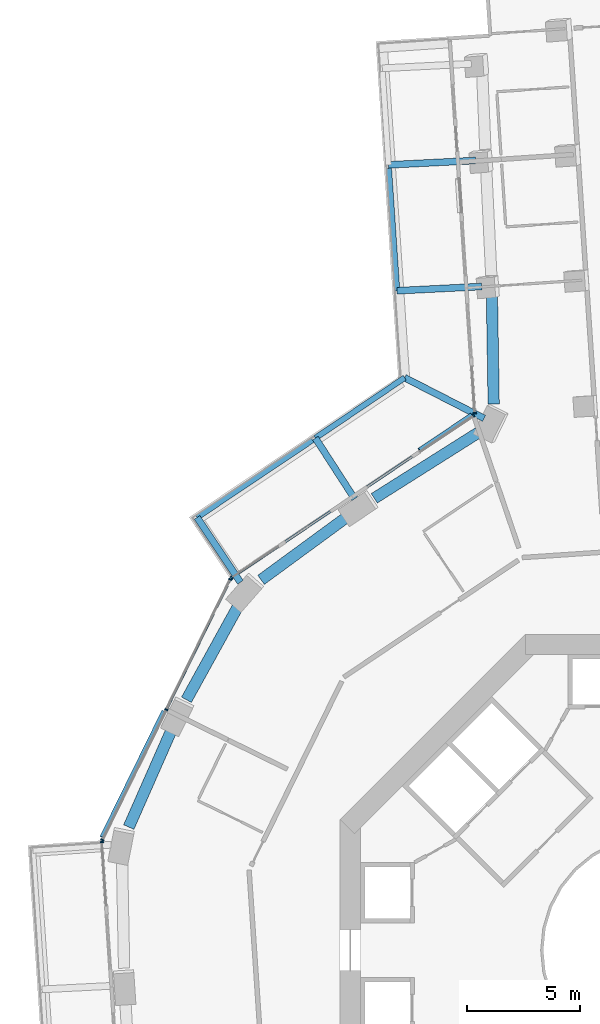
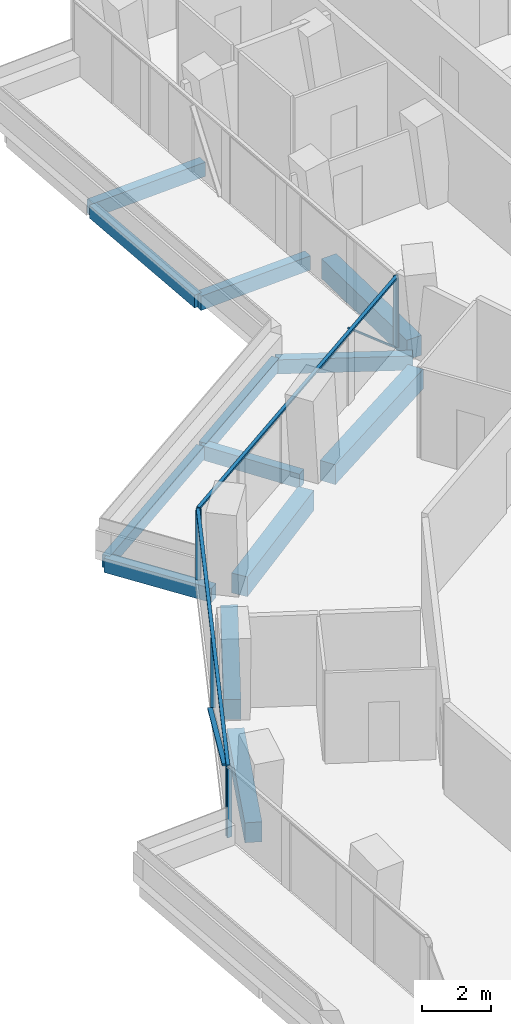
# One storey, part 7 of 25: 13 beams, 11 members, 4 elements without a shape of their own.
"""IFC4 building model written with IfcOpenShell, lengths in metres."""

from ifc_helpers import new_model, si_unit, direction, frame, origin, origin_2d, place, context, subcontext, project, spatial, rectangle, extrude, material, layer, layer_set, material_profile, profile_set, type_object, element, aggregate, save


model = new_model("IFC4")

# Units and contexts
model_context = context("Model", 3, precision=1e-05, world=origin(), true_north=direction((0.0, 1.0)))
body_context = subcontext(model_context, "Body", "Model", "MODEL_VIEW")
ifc_project = project(units=[si_unit("LENGTHUNIT", "METRE"), si_unit("AREAUNIT", "SQUARE_METRE"), si_unit("VOLUMEUNIT", "CUBIC_METRE"), si_unit("PLANEANGLEUNIT", "RADIAN"), si_unit("MASSUNIT", "GRAM", prefix="KILO")], contexts=[model_context])

# Site, building, storey
site_placement = place(None, origin())
site = spatial("IfcSite", under=ifc_project, at=site_placement, CompositionType="ELEMENT")
building_placement = place(site_placement, origin())
building = spatial("IfcBuilding", under=site, at=building_placement, Name="Verdalira Terraces Hotel", CompositionType="ELEMENT")
storey_placement = place(building_placement, frame((0.0, 0.0, 49.5)))
storey = spatial("IfcBuildingStorey", under=building, at=storey_placement, Name="L10", CompositionType="ELEMENT", Elevation=49.5)

# Beams
ifc_material_1 = material(Name="Concrete C40", Category="concrete")
ifc_material_profile_1 = material_profile(ifc_material_1, rectangle(XDim=0.300049, YDim=0.5, at=origin_2d()), Name="RC 300X500")
ifc_profile_set_1 = profile_set([ifc_material_profile_1], Name="Concrete C40")
beam_type_1 = type_object("IfcBeamType", Name="Balcony cantilever beam RC 300X500 C40", PredefinedType="BEAM", material=ifc_profile_set_1)
beam_1_placement = place(storey_placement, frame((-7.625977, 23.56665, -0.560059), z_axis=(-0.890033578, 0.455894977, 0.0), x_axis=(-0.455894977, -0.890033578, 0.0)))
element("IfcBeam", 1, at=beam_1_placement, inside=storey, type_object=beam_type_1, Name="Balcony cantilever beam R10-1", PredefinedType="BEAM", context=body_context, shape_type="SweptSolid", body=[
    extrude(rectangle(XDim=0.300049, YDim=0.5, at=origin_2d()), origin(), (0.0, 0.0, 1.0), 3.949951),
])
beam_2_placement = place(storey_placement, frame((-13.361816, 20.006104, -0.560059), z_axis=(-0.542887551, 0.839805398, 0.0), x_axis=(-0.839805398, -0.542887551, 0.0)))
element("IfcBeam", 2, at=beam_2_placement, inside=storey, type_object=beam_type_1, Name="Balcony cantilever beam R10-2", PredefinedType="BEAM", context=body_context, shape_type="SweptSolid", body=[
    extrude(rectangle(XDim=0.300049, YDim=0.5, at=origin_2d()), origin(), (0.0, 0.0, 1.0), 3.200928),
])
beam_3_placement = place(storey_placement, frame((-18.41748, 16.307617, -0.560059), z_axis=(-0.556833246, 0.830624305, 0.0), x_axis=(-0.830624305, -0.556833246, 0.0)))
element("IfcBeam", 3, at=beam_3_placement, inside=storey, type_object=beam_type_1, Name="Balcony cantilever beam R10-3", PredefinedType="BEAM", context=body_context, shape_type="SweptSolid", body=[
    extrude(rectangle(XDim=0.300049, YDim=0.5, at=origin_2d()), origin(), (0.0, 0.0, 1.0), 3.457031),
])
beam_4_placement = place(storey_placement, frame((-8.008545, 34.991211, -0.560059), z_axis=(-0.998737125, -0.050240963, 0.0), x_axis=(0.050240963, -0.998737125, 0.0)))
element("IfcBeam", 4, at=beam_4_placement, inside=storey, type_object=beam_type_1, Name="Balcony cantilever beam R10-5", PredefinedType="BEAM", context=body_context, shape_type="SweptSolid", body=[
    extrude(rectangle(XDim=0.300049, YDim=0.5, at=origin_2d()), origin(), (0.0, 0.0, 1.0), 3.853516),
])
beam_5_placement = place(storey_placement, frame((-7.732422, 29.40918, -0.560059), z_axis=(-0.998736236, -0.050258649, 0.0), x_axis=(0.050258649, -0.998736236, 0.0)))
element("IfcBeam", 5, at=beam_5_placement, inside=storey, type_object=beam_type_1, Name="Balcony cantilever beam R10-6", PredefinedType="BEAM", context=body_context, shape_type="SweptSolid", body=[
    extrude(rectangle(XDim=0.300049, YDim=0.5, at=origin_2d()), origin(), (0.0, 0.0, 1.0), 3.754883),
])
ifc_material_2 = material(Name="Concrete C40", Category="concrete")
ifc_material_profile_2 = material_profile(ifc_material_2, rectangle(XDim=0.25, YDim=0.449951, at=origin_2d()), Name="RC 250X450")
ifc_profile_set_2 = profile_set([ifc_material_profile_2], Name="Concrete C40")
beam_type_2 = type_object("IfcBeamType", Name="Balcony edge beam RC 250X450 C40", PredefinedType="BEAM", material=ifc_profile_set_2)
beam_6_placement = place(storey_placement, frame((-11.141602, 25.367432, -0.534912), z_axis=(-0.828708795, -0.559680027, 0.0), x_axis=(0.559680027, -0.828708795, 0.0)))
element("IfcBeam", 6, at=beam_6_placement, inside=storey, type_object=beam_type_2, Name="Balcony edge beam R10-1", PredefinedType="BEAM", context=body_context, shape_type="SweptSolid", body=[
    extrude(rectangle(XDim=0.25, YDim=0.449951, at=origin_2d()), origin(), (0.0, 0.0, 1.0), 4.776123),
])
beam_7_placement = place(storey_placement, frame((-15.224121, 22.610596, -0.534912), z_axis=(-0.830615136, -0.556846923, 0.0), x_axis=(0.556846923, -0.830615136, 0.0)))
element("IfcBeam", 7, at=beam_7_placement, inside=storey, type_object=beam_type_2, Name="Balcony edge beam R10-2", PredefinedType="BEAM", context=body_context, shape_type="SweptSolid", body=[
    extrude(rectangle(XDim=0.25, YDim=0.449951, at=origin_2d()), origin(), (0.0, 0.0, 1.0), 6.162109),
])
beam_8_placement = place(storey_placement, frame((-11.846924, 34.647949, -0.534912), z_axis=(0.066962852, -0.997755469, 0.0), x_axis=(0.997755469, 0.066962852, 0.0)))
element("IfcBeam", 8, at=beam_8_placement, inside=storey, type_object=beam_type_2, Name="Balcony edge beam R10-4", PredefinedType="BEAM", context=body_context, shape_type="SweptSolid", body=[
    extrude(rectangle(XDim=0.25, YDim=0.449951, at=origin_2d()), origin(), (0.0, 0.0, 1.0), 5.439697),
])

# Curtain wall, members
ifc_material_3 = material(Name="Clear glass", Category="glass")
ifc_layer_1 = layer(ifc_material_3, 0.14990234375)
ifc_layer_set_1 = layer_set([ifc_layer_1], Name="CW1 curtain wall")
curtain_wall_type_1 = type_object("IfcCurtainWallType", Name="CW1 curtain wall", PredefinedType="NOTDEFINED", material=ifc_layer_set_1)
curtain_wall_1_placement = place(storey_placement, origin())
curtain_wall_1 = element("IfcCurtainWall", 9, at=curtain_wall_1_placement, inside=storey, type_object=curtain_wall_type_1, Name="CW1 curtain wall L10 edge 11", PredefinedType="NOTDEFINED")
ifc_material_4 = material(Name="Terracotta frame", Category="masonry")
ifc_material_profile_3 = material_profile(ifc_material_4, rectangle(XDim=0.060059, YDim=0.149902, at=origin_2d()), Name="MU 60x150")
ifc_profile_set_3 = profile_set([ifc_material_profile_3], Name="Terracotta frame")
member_type_1 = type_object("IfcMemberType", Name="CW1 mullion 60x150", PredefinedType="MULLION", material=ifc_profile_set_3)
member_1_placement = place(storey_placement, frame((-8.093262, 23.689453, 0.0), z_axis=(0.0, 0.0, 1.0), x_axis=(-0.830595899, -0.556875616, 0.0)))
member_1 = element("IfcMember", 10, at=member_1_placement, type_object=member_type_1, Name="CW1 mullion", PredefinedType="MULLION", context=body_context, shape_type="SweptSolid", body=[
    extrude(rectangle(XDim=0.060059, YDim=0.149902, at=origin_2d()), origin(), (0.0, 0.0, 1.0), 2.425049),
])
member_2_placement = place(storey_placement, frame((-18.807617, 16.505859, 0.0), z_axis=(0.0, 0.0, 1.0), x_axis=(-0.830595899, -0.556875616, 0.0)))
member_2 = element("IfcMember", 11, at=member_2_placement, type_object=member_type_1, Name="CW1 mullion", PredefinedType="MULLION", context=body_context, shape_type="SweptSolid", body=[
    extrude(rectangle(XDim=0.060059, YDim=0.149902, at=origin_2d()), origin(), (0.0, 0.0, 1.0), 2.425049),
])

curtain_wall_2_placement = place(storey_placement, origin())
curtain_wall_2 = element("IfcCurtainWall", 12, at=curtain_wall_2_placement, inside=storey, type_object=curtain_wall_type_1, Name="CW1 curtain wall L10 edge 12", PredefinedType="NOTDEFINED")
member_3_placement = place(storey_placement, frame((-18.871338, 16.433105, 0.0), z_axis=(0.0, 0.0, 1.0), x_axis=(-0.440879341, -0.89756638, 0.0)))
member_3 = element("IfcMember", 13, at=member_3_placement, type_object=member_type_1, Name="CW1 mullion", PredefinedType="MULLION", context=body_context, shape_type="SweptSolid", body=[
    extrude(rectangle(XDim=0.060059, YDim=0.149902, at=origin_2d()), origin(), (0.0, 0.0, 1.0), 2.425049),
])
member_4_placement = place(storey_placement, frame((-21.706055, 10.661865, 0.0), z_axis=(0.0, 0.0, 1.0), x_axis=(-0.440879341, -0.89756638, 0.0)))
member_4 = element("IfcMember", 14, at=member_4_placement, type_object=member_type_1, Name="CW1 mullion", PredefinedType="MULLION", context=body_context, shape_type="SweptSolid", body=[
    extrude(rectangle(XDim=0.060059, YDim=0.149902, at=origin_2d()), origin(), (0.0, 0.0, 1.0), 2.425049),
])
member_5_placement = place(storey_placement, frame((-24.541016, 4.890869, 0.0), z_axis=(0.0, 0.0, 1.0), x_axis=(-0.440879341, -0.89756638, 0.0)))
member_5 = element("IfcMember", 15, at=member_5_placement, type_object=member_type_1, Name="CW1 mullion", PredefinedType="MULLION", context=body_context, shape_type="SweptSolid", body=[
    extrude(rectangle(XDim=0.060059, YDim=0.149902, at=origin_2d()), origin(), (0.0, 0.0, 1.0), 2.425049),
])

# Curtain wall, member
curtain_wall_3_placement = place(storey_placement, origin())
curtain_wall_3 = element("IfcCurtainWall", 16, at=curtain_wall_3_placement, inside=storey, type_object=curtain_wall_type_1, Name="CW1 curtain wall L10 edge 13", PredefinedType="NOTDEFINED")
member_6_placement = place(storey_placement, frame((-24.55957, 4.795898, 0.0), z_axis=(0.0, 0.0, 1.0), x_axis=(0.066970481, -0.997754957, 0.0)))
member_6 = element("IfcMember", 17, at=member_6_placement, type_object=member_type_1, Name="CW1 mullion", PredefinedType="MULLION", context=body_context, shape_type="SweptSolid", body=[
    extrude(rectangle(XDim=0.060059, YDim=0.149902, at=origin_2d()), origin(), (0.0, 0.0, 1.0), 2.425049),
])
aggregate(curtain_wall_3, [member_6])

# Member
ifc_material_5 = material(Name="Terracotta frame", Category="masonry")
ifc_material_profile_4 = material_profile(ifc_material_5, rectangle(XDim=0.110107, YDim=0.064941, at=origin_2d()), Name="TR 65x110")
ifc_profile_set_4 = profile_set([ifc_material_profile_4], Name="Terracotta frame")
member_type_2 = type_object("IfcMemberType", Name="CW1 transom 65x110", PredefinedType="USERDEFINED", material=ifc_profile_set_4)
member_7_placement = place(storey_placement, frame((-8.068115, 23.706299, 2.45752), z_axis=(-0.830595453, -0.556876283, 0.0), x_axis=(0.556876283, -0.830595453, 0.0)))
member_7 = element("IfcMember", 18, at=member_7_placement, type_object=member_type_2, Name="CW1 transom", ObjectType="TRANSOM", PredefinedType="USERDEFINED", context=body_context, shape_type="SweptSolid", body=[
    extrude(rectangle(XDim=0.110107, YDim=0.064941, at=origin_2d()), origin(), (0.0, 0.0, 1.0), 12.959961),
])

member_8_placement = place(storey_placement, frame((-18.858154, 16.459961, 2.45752), z_axis=(-0.440883315, -0.897564428, 0.0), x_axis=(0.897564428, -0.440883315, 0.0)))
member_8 = element("IfcMember", 19, at=member_8_placement, type_object=member_type_2, Name="CW1 transom", ObjectType="TRANSOM", PredefinedType="USERDEFINED", context=body_context, shape_type="SweptSolid", body=[
    extrude(rectangle(XDim=0.110107, YDim=0.064941, at=origin_2d()), origin(), (0.0, 0.0, 1.0), 12.919678),
])

# Curtain wall, member
ifc_material_6 = material(Name="Clear glass", Category="glass")
ifc_layer_2 = layer(ifc_material_6, 0.14990234375)
ifc_layer_set_2 = layer_set([ifc_layer_2], Name="CW2 curtain wall")
curtain_wall_type_2 = type_object("IfcCurtainWallType", Name="CW2 curtain wall", PredefinedType="NOTDEFINED", material=ifc_layer_set_2)
curtain_wall_4_placement = place(storey_placement, origin())
curtain_wall_4 = element("IfcCurtainWall", 20, at=curtain_wall_4_placement, inside=storey, type_object=curtain_wall_type_2, Name="CW2 curtain wall L10 edge 10", PredefinedType="NOTDEFINED")
ifc_material_7 = material(Name="Terracotta frame", Category="masonry")
ifc_material_profile_5 = material_profile(ifc_material_7, rectangle(XDim=0.070068, YDim=0.149902, at=origin_2d()), Name="MU 70x150")
ifc_profile_set_5 = profile_set([ifc_material_profile_5], Name="Terracotta frame")
member_type_3 = type_object("IfcMemberType", Name="CW2 mullion 70x150", PredefinedType="MULLION", material=ifc_profile_set_5)
member_9_placement = place(storey_placement, frame((-8.037598, 23.808594, 0.0), z_axis=(0.0, 0.0, 1.0), x_axis=(0.066970481, -0.997754957, 0.0)))
member_9 = element("IfcMember", 21, at=member_9_placement, type_object=member_type_3, Name="CW2 mullion", PredefinedType="MULLION", context=body_context, shape_type="SweptSolid", body=[
    extrude(rectangle(XDim=0.070068, YDim=0.149902, at=origin_2d()), origin(), (0.0, 0.0, 1.0), 2.425049),
])
aggregate(curtain_wall_4, [member_9])

# Member
ifc_material_8 = material(Name="Terracotta frame", Category="masonry")
ifc_material_profile_6 = material_profile(ifc_material_8, rectangle(XDim=0.149902, YDim=0.060059, at=origin_2d()), Name="GB 60x150")
ifc_profile_set_6 = profile_set([ifc_material_profile_6], Name="Terracotta frame")
member_type_4 = type_object("IfcMemberType", Name="Diagonal glazing bar 60x150", PredefinedType="USERDEFINED", material=ifc_profile_set_6)
member_10_placement = place(storey_placement, frame((-8.191162, 23.730957, 0.02417), z_axis=(-0.631669013, -0.423491717, 0.649345073), x_axis=(0.556864053, -0.830603652, 0.0)))
member_10 = element("IfcMember", 22, at=member_10_placement, type_object=member_type_4, Name="Diagonal glazing bar", ObjectType="GLAZING BAR", PredefinedType="USERDEFINED", context=body_context, shape_type="SweptSolid", body=[
    extrude(rectangle(XDim=0.149902, YDim=0.060059, at=origin_2d()), origin(), (0.0, 0.0, 1.0), 3.660156),
])

aggregate(curtain_wall_1, [member_1, member_2, member_7, member_10])

member_11_placement = place(storey_placement, frame((-21.83252, 10.606445, 0.028809), z_axis=(-0.412027153, -0.83884032, 0.355781594), x_axis=(0.897569044, -0.440873917, 0.0)))
member_11 = element("IfcMember", 23, at=member_11_placement, type_object=member_type_4, Name="Diagonal glazing bar", ObjectType="GLAZING BAR", PredefinedType="USERDEFINED", context=body_context, shape_type="SweptSolid", body=[
    extrude(rectangle(XDim=0.149902, YDim=0.060059, at=origin_2d()), origin(), (0.0, 0.0, 1.0), 6.654053),
])

aggregate(curtain_wall_2, [member_3, member_4, member_5, member_8, member_11])

# Beams
ifc_material_9 = material(Name="Concrete C70", Category="concrete")
ifc_material_profile_7 = material_profile(ifc_material_9, rectangle(XDim=0.5, YDim=0.699951, at=origin_2d()), Name="RC 500X700")
ifc_profile_set_7 = profile_set([ifc_material_profile_7], Name="Concrete C70")
beam_type_3 = type_object("IfcBeamType", Name="Spandrel beam RC 500X700 C70", PredefinedType="SPANDREL", material=ifc_profile_set_7)
beam_9_placement = place(storey_placement, frame((-7.276367, 28.983398, -0.659912), z_axis=(0.016084121, -0.999870642, 0.0), x_axis=(0.999870642, 0.016084121, 0.0)))
element("IfcBeam", 24, at=beam_9_placement, inside=storey, type_object=beam_type_3, Name="Spandrel beam B07", PredefinedType="SPANDREL", context=body_context, shape_type="SweptSolid", body=[
    extrude(rectangle(XDim=0.5, YDim=0.699951, at=origin_2d()), origin(), (0.0, 0.0, 1.0), 4.781494),
])
beam_10_placement = place(storey_placement, frame((-7.889404, 22.929443, -0.659912), z_axis=(-0.845604082, -0.533810582, 0.0), x_axis=(0.533810582, -0.845604082, 0.0)))
element("IfcBeam", 25, at=beam_10_placement, inside=storey, type_object=beam_type_3, Name="Spandrel beam B08", PredefinedType="SPANDREL", context=body_context, shape_type="SweptSolid", body=[
    extrude(rectangle(XDim=0.5, YDim=0.699951, at=origin_2d()), origin(), (0.0, 0.0, 1.0), 5.438965),
])
beam_11_placement = place(storey_placement, frame((-13.669434, 19.221436, -0.659912), z_axis=(-0.806737828, -0.590909533, 0.0), x_axis=(0.590909533, -0.806737828, 0.0)))
element("IfcBeam", 26, at=beam_11_placement, inside=storey, type_object=beam_type_3, Name="Spandrel beam B09", PredefinedType="SPANDREL", context=body_context, shape_type="SweptSolid", body=[
    extrude(rectangle(XDim=0.5, YDim=0.699951, at=origin_2d()), origin(), (0.0, 0.0, 1.0), 4.755371),
])
beam_12_placement = place(storey_placement, frame((-18.51123, 15.265869, -0.659912), z_axis=(-0.483367545, -0.87541751, 0.0), x_axis=(0.87541751, -0.483367545, 0.0)))
element("IfcBeam", 27, at=beam_12_placement, inside=storey, type_object=beam_type_3, Name="Spandrel beam B10", PredefinedType="SPANDREL", context=body_context, shape_type="SweptSolid", body=[
    extrude(rectangle(XDim=0.5, YDim=0.699951, at=origin_2d()), origin(), (0.0, 0.0, 1.0), 4.758789),
])
beam_13_placement = place(storey_placement, frame((-21.448975, 9.811523, -0.659912), z_axis=(-0.403168693, -0.915125677, 0.0), x_axis=(0.915125677, -0.403168693, 0.0)))
element("IfcBeam", 28, at=beam_13_placement, inside=storey, type_object=beam_type_3, Name="Spandrel beam B11", PredefinedType="SPANDREL", context=body_context, shape_type="SweptSolid", body=[
    extrude(rectangle(XDim=0.5, YDim=0.699951, at=origin_2d()), origin(), (0.0, 0.0, 1.0), 4.755371),
])

save(model, "model.ifc")
